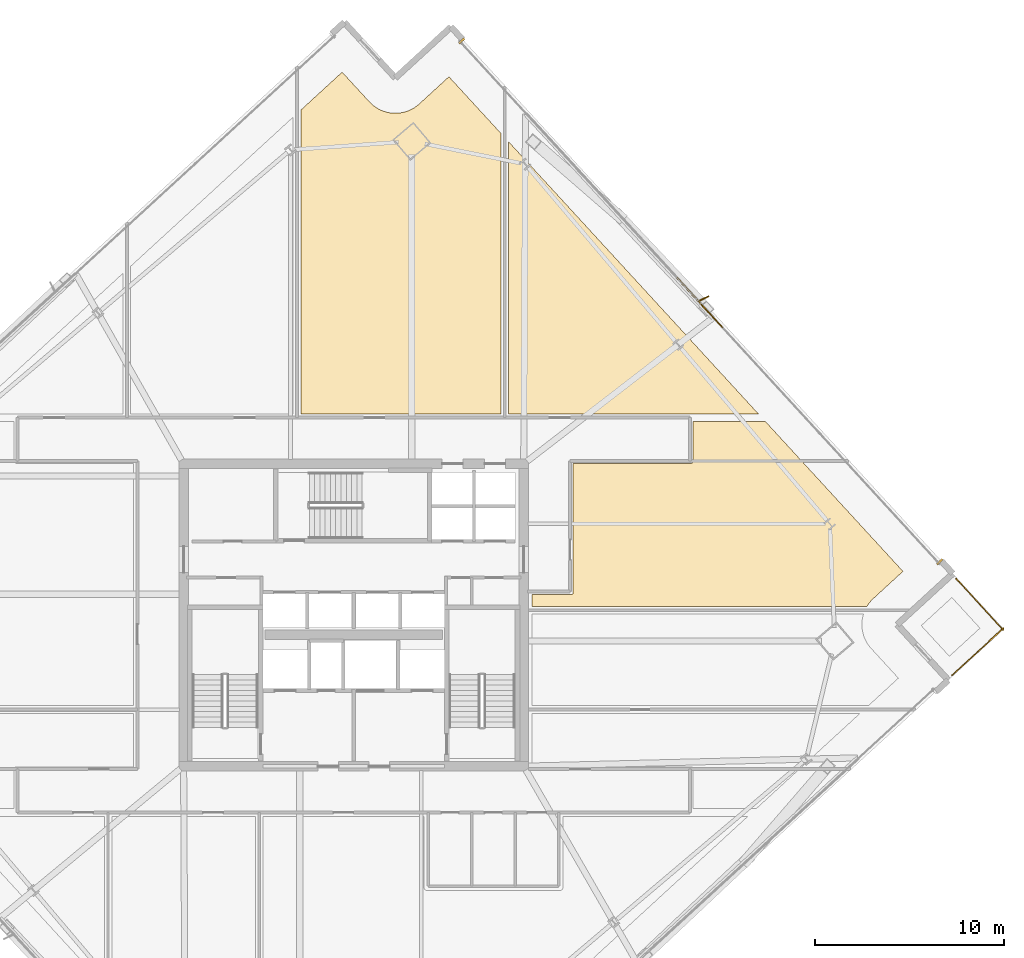
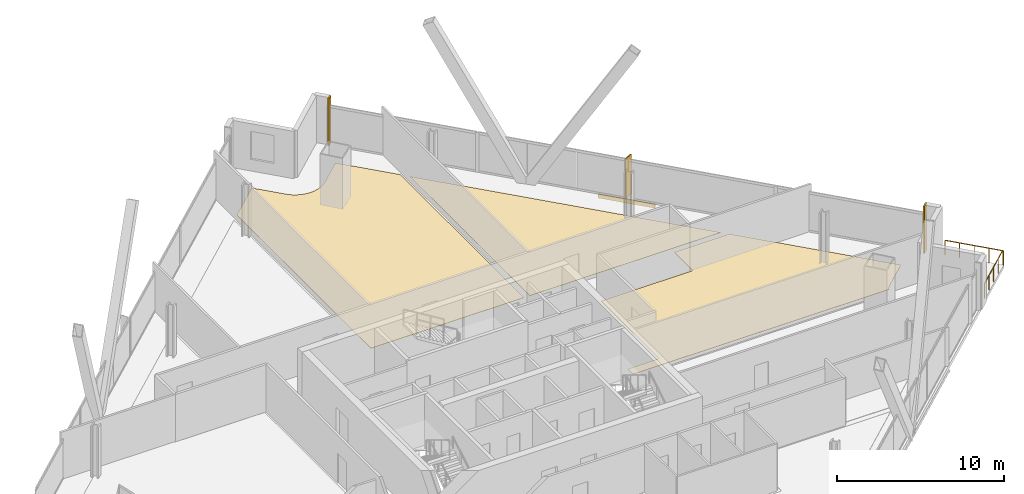
# One storey, part 32 of 32: 6 coverings, 2 railings, 1 shading device.
"""IFC4 building model written with IfcOpenShell, lengths in metres."""

from ifc_helpers import new_model, si_unit, direction, frame, origin, origin_2d, place, context, subcontext, project, spatial, polyline, rectangle, outline, extrude, source, transform, mapped, material, layer, layer_set, type_object, element, save


model = new_model("IFC4")

# Units and contexts
model_context = context("Model", 3, precision=1e-05, world=origin(), true_north=direction((0.0, 1.0)))
body_context = subcontext(model_context, "Body", "Model", "MODEL_VIEW")
ifc_project = project(units=[si_unit("LENGTHUNIT", "METRE"), si_unit("AREAUNIT", "SQUARE_METRE"), si_unit("VOLUMEUNIT", "CUBIC_METRE"), si_unit("PLANEANGLEUNIT", "RADIAN"), si_unit("MASSUNIT", "GRAM", prefix="KILO")], contexts=[model_context])

# Site, building, storey
site_placement = place(None, origin())
site = spatial("IfcSite", under=ifc_project, at=site_placement, CompositionType="ELEMENT")
building_placement = place(site_placement, origin())
building = spatial("IfcBuilding", under=site, at=building_placement, Name="Haldenkirk Collegiate Tower", CompositionType="ELEMENT")
storey_placement = place(building_placement, frame((0.0, 0.0, 170.699951171875)))
storey = spatial("IfcBuildingStorey", under=building, at=storey_placement, Name="L42", CompositionType="ELEMENT", Elevation=170.699951171875)

# Coverings
ifc_material_1 = material(Name="Polished collegiate terrazzo", Category="concrete")
ifc_layer_1 = layer(ifc_material_1, 0.02490234375)
ifc_layer_set_1 = layer_set([ifc_layer_1], Name="Polished collegiate terrazzo")
covering_type_1 = type_object("IfcCoveringType", Name="COV-FLOOR-TERRAZZO", PredefinedType="FLOORING", material=ifc_layer_set_1)
covering_1_placement = place(storey_placement, origin())
element("IfcCovering", 1, at=covering_1_placement, inside=storey, type_object=covering_type_1, Name="L42 academic room finish 06", PredefinedType="FLOORING", context=body_context, shape_type="SweptSolid", body=[
    extrude(outline(polyline([(36.82958984375, 53.16357421875), (36.833740234375, 53.1591796875), (36.955810546875, 53.03857421875), (36.964599609375, 53.03076171875), (37.097900390625, 52.922607421875), (37.107666015625, 52.91552734375), (37.2509765625, 52.821044921875), (37.260986328125, 52.815185546875), (37.4130859375, 52.735107421875), (37.423828125, 52.72998046875), (37.5830078125, 52.665283203125), (37.593994140625, 52.66162109375), (37.758544921875, 52.61279296875), (37.77001953125, 52.610107421875), (37.938720703125, 52.57763671875), (37.950439453125, 52.575927734375), (38.121337890625, 52.56005859375), (38.13330078125, 52.5595703125), (38.304931640625, 52.560791015625), (38.316650390625, 52.561279296875), (38.4873046875, 52.579345703125), (38.4990234375, 52.5810546875), (38.66748046875, 52.61572265625), (38.6787109375, 52.61865234375), (38.8427734375, 52.66943359375), (38.853759765625, 52.673583984375), (39.011962890625, 52.740234375), (39.022705078125, 52.745361328125), (39.173583984375, 52.8271484375), (39.18359375, 52.833251953125), (39.325927734375, 52.9296875), (39.335205078125, 52.936767578125), (39.46728515625, 53.04638671875), (39.4716796875, 53.05029296875), (41.040771484375, 54.49072265625), (43.800048828125, 51.485107421875), (43.800048828125, 36.64990234375), (33.199951171875, 36.64990234375), (33.199951171875, 52.72314453125), (35.38916015625, 54.732666015625), (36.82958984375, 53.16357421875)])), origin(), (0.0, 0.0, 1.0), 0.025146484375),
])
covering_2_placement = place(storey_placement, origin())
element("IfcCovering", 2, at=covering_2_placement, inside=storey, type_object=covering_type_1, Name="L42 academic room finish 12", PredefinedType="FLOORING", context=body_context, shape_type="SweptSolid", body=[
    extrude(outline(polyline([(63.158935546875, 26.449951171875), (45.449951171875, 26.449951171875), (45.449951171875, 27.080078125), (47.5, 27.080078125), (47.51171875, 27.08056640625), (47.5234375, 27.082275390625), (47.534912109375, 27.085205078125), (47.5458984375, 27.089111328125), (47.556640625, 27.09423828125), (47.566650390625, 27.10009765625), (47.576171875, 27.107177734375), (47.5849609375, 27.114990234375), (47.5927734375, 27.123779296875), (47.599853515625, 27.13330078125), (47.605712890625, 27.143310546875), (47.61083984375, 27.154052734375), (47.61474609375, 27.165283203125), (47.61767578125, 27.176513671875), (47.619384765625, 27.188232421875), (47.6201171875, 27.199951171875), (47.6201171875, 34.030029296875), (53.85009765625, 34.030029296875), (53.86181640625, 34.030517578125), (53.873291015625, 34.0322265625), (53.884765625, 34.03515625), (53.89599609375, 34.0390625), (53.906494140625, 34.044189453125), (53.916748046875, 34.05029296875), (53.926025390625, 34.05712890625), (53.934814453125, 34.065185546875), (53.94287109375, 34.073974609375), (53.94970703125, 34.083251953125), (53.955810546875, 34.093505859375), (53.9609375, 34.10400390625), (53.96484375, 34.115234375), (53.9677734375, 34.126708984375), (53.969482421875, 34.13818359375), (53.969970703125, 34.14990234375), (53.969970703125, 36.25), (57.784912109375, 36.25), (65.07080078125, 28.312744140625), (63.501708984375, 26.872314453125), (63.49755859375, 26.8681640625), (63.376708984375, 26.745849609375), (63.368896484375, 26.737060546875), (63.2607421875, 26.603515625), (63.25390625, 26.593994140625), (63.159423828125, 26.45068359375), (63.158935546875, 26.449951171875)])), origin(), (0.0, 0.0, 1.0), 0.025146484375),
])
ifc_material_2 = material(Name="Engineered collegiate oak acoustic flooring", Category="wood")
ifc_layer_2 = layer(ifc_material_2, 0.02197265625)
ifc_layer_set_2 = layer_set([ifc_layer_2], Name="Engineered collegiate oak acoustic flooring")
covering_type_2 = type_object("IfcCoveringType", Name="COV-FLOOR-TIMBER", PredefinedType="FLOORING", material=ifc_layer_set_2)
covering_3_placement = place(storey_placement, origin())
element("IfcCovering", 3, at=covering_3_placement, inside=storey, type_object=covering_type_2, Name="L42 academic room finish 07", PredefinedType="FLOORING", context=body_context, shape_type="SweptSolid", body=[
    extrude(outline(polyline([(57.417724609375, 36.64990234375), (44.199951171875, 36.64990234375), (44.199951171875, 51.04931640625), (57.417724609375, 36.64990234375)])), origin(), (0.0, 0.0, 1.0), 0.02197265625),
])

# Railings
ifc_material_3 = material(Name="Anodised architectural bronze aluminium", Category="aluminium")
railing_type = type_object("IfcRailingType", Name="RLG-TERR-BALUSTRADE-1100", PredefinedType="BALUSTRADE", material=ifc_material_3)
railing_1_placement = place(storey_placement, frame((67.66650390625, 22.80859375, 0.0)))
element("IfcRailing", 4, at=railing_1_placement, inside=storey, type_object=railing_type, Name="L42 terrace guard balustrade 1-1", PredefinedType="BALUSTRADE", context=body_context, shape_type="SweptSolid", body=[
    extrude(rectangle(XDim=0.048095703125, YDim=0.048095703125, at=origin_2d()), frame((0.0, 0.0, 1.076171875), z_axis=(0.736649948875, 0.676274243797, 0.0), x_axis=(-0.676274243797, 0.736649948875, 0.0)), (0.0, 0.0, 1.0), 3.6796875),
    extrude(rectangle(XDim=0.0419921875, YDim=0.0419921875, at=origin_2d()), origin(), (0.0, 0.0, 1.0), 1.052001953125),
    extrude(rectangle(XDim=0.0419921875, YDim=0.0419921875, at=origin_2d()), frame((0.677734375, 0.6220703125, 0.0)), (0.0, 0.0, 1.0), 1.052001953125),
    extrude(rectangle(XDim=0.0419921875, YDim=0.0419921875, at=origin_2d()), frame((1.35546875, 1.244140625, 0.0)), (0.0, 0.0, 1.0), 1.052001953125),
    extrude(rectangle(XDim=0.0419921875, YDim=0.0419921875, at=origin_2d()), frame((2.032958984375, 1.866455078125, 0.0)), (0.0, 0.0, 1.0), 1.052001953125),
    extrude(rectangle(XDim=0.0419921875, YDim=0.0419921875, at=origin_2d()), frame((2.710693359375, 2.488525390625, 0.0)), (0.0, 0.0, 1.0), 1.052001953125),
])
railing_2_placement = place(storey_placement, frame((70.373779296875, 25.212158203125, 0.0)))
element("IfcRailing", 5, at=railing_2_placement, inside=storey, type_object=railing_type, Name="L42 terrace guard balustrade 2-1", PredefinedType="BALUSTRADE", context=body_context, shape_type="SweptSolid", body=[
    extrude(rectangle(XDim=0.048095703125, YDim=0.048095703125, at=origin_2d()), frame((0.0, 0.0, 1.076171875), z_axis=(-0.676208142457, 0.736710627095, 0.0), x_axis=(-0.736710627095, -0.676208142457, 0.0)), (0.0, 0.0, 1.0), 3.68017578125),
    extrude(rectangle(XDim=0.0419921875, YDim=0.0419921875, at=origin_2d()), origin(), (0.0, 0.0, 1.0), 1.052001953125),
    extrude(rectangle(XDim=0.0419921875, YDim=0.0419921875, at=origin_2d()), frame((-0.6220703125, 0.677734375, 0.0)), (0.0, 0.0, 1.0), 1.052001953125),
    extrude(rectangle(XDim=0.0419921875, YDim=0.0419921875, at=origin_2d()), frame((-1.244140625, 1.35546875, 0.0)), (0.0, 0.0, 1.0), 1.052001953125),
    extrude(rectangle(XDim=0.0419921875, YDim=0.0419921875, at=origin_2d()), frame((-1.866455078125, 2.033447265625, 0.0)), (0.0, 0.0, 1.0), 1.052001953125),
    extrude(rectangle(XDim=0.0419921875, YDim=0.0419921875, at=origin_2d()), frame((-2.488525390625, 2.711181640625, 0.0)), (0.0, 0.0, 1.0), 1.052001953125),
])

# Coverings
ifc_layer_3 = layer(ifc_material_3, 0.06005859375)
ifc_layer_set_3 = layer_set([ifc_layer_3], Name="Anodised architectural bronze aluminium")
covering_type_3 = type_object("IfcCoveringType", Name="COV-CLAD-BRONZE-60", PredefinedType="CLADDING", material=ifc_layer_set_3)
shared_shape_1 = source(origin(), body_context, "Body", "SweptSolid", [
    extrude(rectangle(XDim=3.60009765625, YDim=0.06005859375, at=origin_2d()), origin(), (0.0, 0.0, 1.0), 0.300048828125),
])
covering_4_placement = place(storey_placement, frame((54.30078125, 42.544677734375, -0.2998046875), z_axis=(0.0, 0.0, 1.0), x_axis=(0.67623334614, -0.736687492475, 0.0)))
element("IfcCovering", 6, at=covering_4_placement, inside=storey, type_object=covering_type_3, Name="L42 architectural bronze spandrel cladding E", PredefinedType="CLADDING", context=body_context, shape_type="MappedRepresentation", body=[
    mapped(shared_shape_1, transform((0.0, 0.0, 0.0), x_axis=(1.0, 0.0, 0.0), y_axis=(0.0, 1.0, 0.0), z_axis=(0.0, 0.0, 1.0), scale=1.0)),
])
shared_shape_2 = source(origin(), body_context, "Body", "SweptSolid", [
    extrude(rectangle(XDim=0.10009765625, YDim=0.3798828125, at=origin_2d()), origin(), (0.0, 0.0, 1.0), 3.4599609375),
])
for number, where, z_axis, x_axis, name in (
    (7, (41.716552734375, 56.386962890625, 0.0), (0.0, 0.0, 1.0), (0.67623334614, -0.736687492475, 0.0), "L42 recessed curtain-wall bronze jamb closure EJL"),
    (8, (67.017822265625, 28.82373046875, 0.0), (0.0, 0.0, 1.0), (0.67623334614, -0.736687492475, 0.0), "L42 recessed curtain-wall bronze jamb closure EJR"),
):
    element("IfcCovering", number, at=place(storey_placement, frame(where, z_axis=z_axis, x_axis=x_axis)), inside=storey, type_object=covering_type_3, Name=name, PredefinedType="CLADDING", context=body_context, shape_type="MappedRepresentation", body=[
        mapped(shared_shape_2, transform((0.0, 0.0, 0.0), x_axis=(1.0, 0.0, 0.0), y_axis=(0.0, 1.0, 0.0), z_axis=(0.0, 0.0, 1.0), scale=1.0)),
    ])

# Shading device
ifc_layer_4 = layer(ifc_material_3, 0.06494140625)
ifc_layer_set_4 = layer_set([ifc_layer_4], Name="Anodised architectural bronze aluminium")
shading_device_type = type_object("IfcShadingDeviceType", Name="SHD-FIN-BRONZE-620", PredefinedType="USERDEFINED", material=ifc_layer_set_4)
shared_shape_3 = source(origin(), body_context, "Body", "SweptSolid", [
    extrude(rectangle(XDim=0.6201171875, YDim=0.06494140625, at=origin_2d()), origin(), (0.0, 0.0, 1.0), 2.910888671875),
])
shading_device_placement = place(storey_placement, frame((54.518310546875, 42.744140625, 0.0), z_axis=(0.0, 0.0, 1.0), x_axis=(0.894544639838, 0.446978620671, 0.0)))
element("IfcShadingDevice", 9, at=shading_device_placement, inside=storey, type_object=shading_device_type, Name="L42 folded bronze solar fin 1", ObjectType="FIN", PredefinedType="USERDEFINED", context=body_context, shape_type="MappedRepresentation", body=[
    mapped(shared_shape_3, transform((0.0, 0.0, 0.0), x_axis=(1.0, 0.0, 0.0), y_axis=(0.0, 1.0, 0.0), z_axis=(0.0, 0.0, 1.0), scale=1.0)),
])

save(model, "model.ifc")
